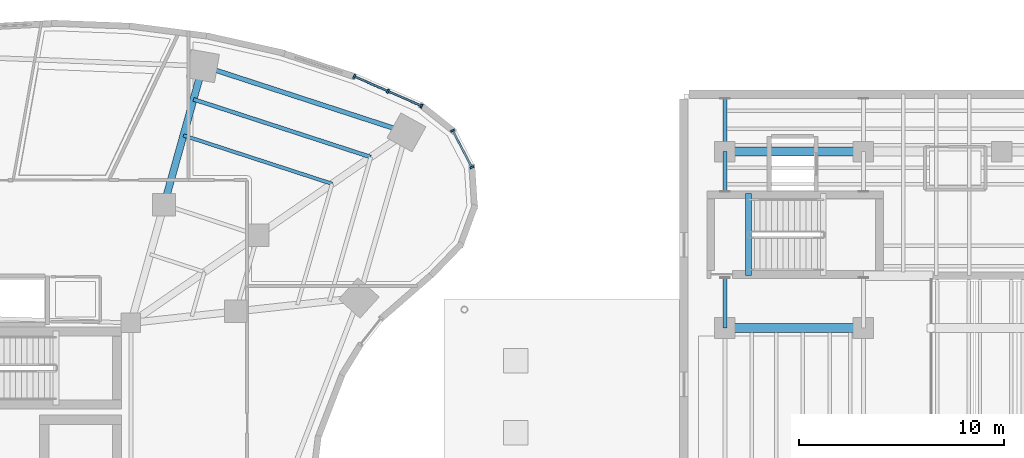
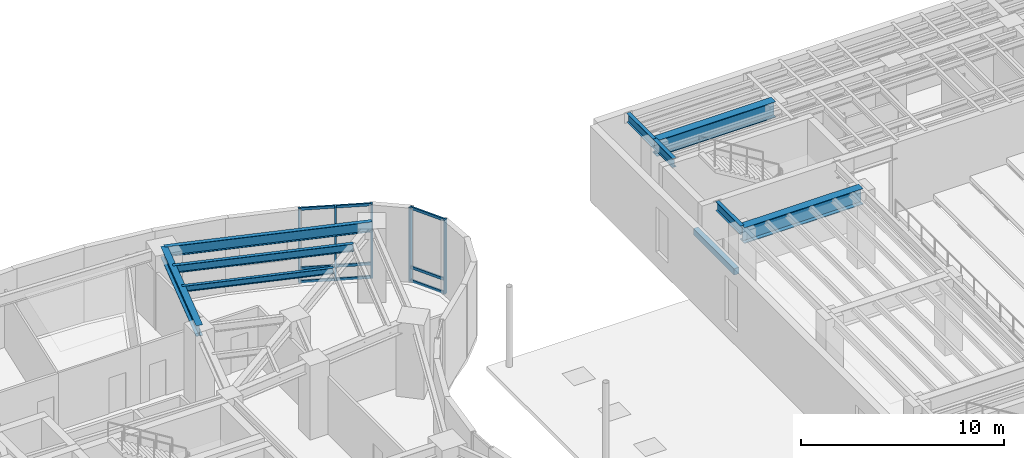
# One storey, part 9 of 24: 14 members, 10 beams, 2 elements without a shape of their own.
"""IFC4 building model written with IfcOpenShell, lengths in metres."""

from ifc_helpers import new_model, si_unit, direction, frame, origin, origin_2d, place, context, subcontext, project, spatial, rectangle, i_section, extrude, material, layer, layer_set, material_profile, profile_set, type_object, element, aggregate, save


model = new_model("IFC4")

# Units and contexts
model_context = context("Model", 3, precision=1e-05, world=origin(), true_north=direction((0.0, 1.0)))
body_context = subcontext(model_context, "Body", "Model", "MODEL_VIEW")
ifc_project = project(units=[si_unit("LENGTHUNIT", "METRE"), si_unit("AREAUNIT", "SQUARE_METRE"), si_unit("VOLUMEUNIT", "CUBIC_METRE"), si_unit("PLANEANGLEUNIT", "RADIAN"), si_unit("MASSUNIT", "GRAM", prefix="KILO")], contexts=[model_context])

# Site, building, storey
site_placement = place(None, origin())
site = spatial("IfcSite", under=ifc_project, at=site_placement, CompositionType="ELEMENT")
building_placement = place(site_placement, origin())
building = spatial("IfcBuilding", under=site, at=building_placement, Name="Korentha Bioscience Tower", CompositionType="ELEMENT")
storey_placement = place(building_placement, frame((0.0, 0.0, 10.199951171875)))
storey = spatial("IfcBuildingStorey", under=building, at=storey_placement, Name="L02", CompositionType="ELEMENT", Elevation=10.199951171875)

# Beam
ifc_material_1 = material(Name="Concrete C50", Category="concrete")
ifc_material_profile_1 = material_profile(ifc_material_1, rectangle(XDim=0.280029296875, YDim=0.3798828125, at=origin_2d()), Name="Concrete C50")
ifc_profile_set_1 = profile_set([ifc_material_profile_1], Name="Concrete C50 (ST-HB380)")
beam_type_1 = type_object("IfcBeamType", Name="Concrete Stair Header Beam RC 280x380", PredefinedType="BEAM", material=ifc_profile_set_1)
beam_1_placement = place(storey_placement, frame((67.64990234375, 38.14990234375, -0.18994140625), z_axis=(0.0, 1.0, 0.0), x_axis=(-1.0, 0.0, 0.0)))
element("IfcBeam", 1, at=beam_1_placement, inside=storey, type_object=beam_type_1, Name="L02 ST-T2 Concrete Stair Header Beam", PredefinedType="BEAM", context=body_context, shape_type="SweptSolid", body=[
    extrude(rectangle(XDim=0.280029296875, YDim=0.3798828125, at=origin_2d()), origin(), (0.0, 0.0, 1.0), 4.0),
])

# Curtain wall, members
ifc_material_2 = material(Name="Stone-Clad Aluminium Frame", Category="masonry")
ifc_layer = layer(ifc_material_2, 0.219970703125, Name="Stone-Clad Aluminium Frame")
ifc_layer_set = layer_set([ifc_layer], Name="Stone-Clad Aluminium Frame (CW-P1)")
curtain_wall_type = type_object("IfcCurtainWallType", Name="Podium Double-Height Stone-Mullion Curtain Wall CW-P1", PredefinedType="USERDEFINED", material=ifc_layer_set)
curtain_wall_1_placement = place(storey_placement, origin())
curtain_wall_1 = element("IfcCurtainWall", 2, at=curtain_wall_1_placement, inside=storey, type_object=curtain_wall_type, Name="L02 Curtain Wall 01", ObjectType="UNITISED", PredefinedType="USERDEFINED")
ifc_material_3 = material(Name="Anodised Aluminium 6063-T6", Category="aluminium")
ifc_material_profile_2 = material_profile(ifc_material_3, rectangle(XDim=0.090087890625, YDim=0.199951171875, at=origin_2d()), Name="Anodised Aluminium 6063-T6")
ifc_profile_set_2 = profile_set([ifc_material_profile_2], Name="Anodised Aluminium 6063-T6 (CW-MUL)")
member_type_1 = type_object("IfcMemberType", Name="Mullion RECT 90x200", PredefinedType="MULLION", material=ifc_profile_set_2)
member_1_placement = place(storey_placement, frame((51.71337890625, 46.420654296875, 0.0), z_axis=(0.0, 0.0, 1.0), x_axis=(-0.91593909057, 0.401317308828, 0.0)))
member_1 = element("IfcMember", 3, at=member_1_placement, type_object=member_type_1, Name="CW-L02-01 Mullion 1", PredefinedType="MULLION", context=body_context, shape_type="SweptSolid", body=[
    extrude(rectangle(XDim=0.090087890625, YDim=0.199951171875, at=origin_2d()), origin(), (0.0, 0.0, 1.0), 4.449951171875),
])
member_2_placement = place(storey_placement, frame((50.072998046875, 47.139404296875, 0.0), z_axis=(0.0, 0.0, 1.0), x_axis=(-0.91593909057, 0.401317308828, 0.0)))
member_2 = element("IfcMember", 4, at=member_2_placement, type_object=member_type_1, Name="CW-L02-01 Mullion 2", PredefinedType="MULLION", context=body_context, shape_type="SweptSolid", body=[
    extrude(rectangle(XDim=0.090087890625, YDim=0.199951171875, at=origin_2d()), origin(), (0.0, 0.0, 1.0), 4.449951171875),
])
member_3_placement = place(storey_placement, frame((48.43212890625, 47.8583984375, 0.0), z_axis=(0.0, 0.0, 1.0), x_axis=(-0.91593909057, 0.401317308828, 0.0)))
member_3 = element("IfcMember", 5, at=member_3_placement, type_object=member_type_1, Name="CW-L02-01 Mullion 3", PredefinedType="MULLION", context=body_context, shape_type="SweptSolid", body=[
    extrude(rectangle(XDim=0.090087890625, YDim=0.199951171875, at=origin_2d()), origin(), (0.0, 0.0, 1.0), 4.449951171875),
])

curtain_wall_2_placement = place(storey_placement, origin())
curtain_wall_2 = element("IfcCurtainWall", 6, at=curtain_wall_2_placement, inside=storey, type_object=curtain_wall_type, Name="L02 Curtain Wall 61", ObjectType="UNITISED", PredefinedType="USERDEFINED")
member_4_placement = place(storey_placement, frame((54.163330078125, 43.435302734375, 0.0), z_axis=(0.0, 0.0, 1.0), x_axis=(-0.463008597697, 0.886353788539, 0.0)))
member_4 = element("IfcMember", 7, at=member_4_placement, type_object=member_type_1, Name="CW-L02-61 Mullion 1", PredefinedType="MULLION", context=body_context, shape_type="SweptSolid", body=[
    extrude(rectangle(XDim=0.090087890625, YDim=0.199951171875, at=origin_2d()), origin(), (0.0, 0.0, 1.0), 4.449951171875),
])
member_5_placement = place(storey_placement, frame((53.22900390625, 45.2236328125, 0.0), z_axis=(0.0, 0.0, 1.0), x_axis=(-0.463008597697, 0.886353788539, 0.0)))
member_5 = element("IfcMember", 8, at=member_5_placement, type_object=member_type_1, Name="CW-L02-61 Mullion 2", PredefinedType="MULLION", context=body_context, shape_type="SweptSolid", body=[
    extrude(rectangle(XDim=0.090087890625, YDim=0.199951171875, at=origin_2d()), origin(), (0.0, 0.0, 1.0), 4.449951171875),
])

# Beams
ifc_material_4 = material(Name="Steel S355", Category="steel")
ifc_material_profile_3 = material_profile(ifc_material_4, i_section(OverallWidth=0.208984375, OverallDepth=0.532958984375, WebThickness=0.01025390625, FlangeThickness=0.015625, at=origin_2d()), Name="Steel S355")
ifc_profile_set_3 = profile_set([ifc_material_profile_3], Name="Steel S355 (SB-530)")
beam_type_2 = type_object("IfcBeamType", Name="Perimeter Ring Spandrel Girder W530x92", PredefinedType="SPANDREL", material=ifc_profile_set_3)
beam_2_placement = place(storey_placement, frame((66.5, 35.60009765625, 4.233642578125), z_axis=(0.0, 1.0, 0.0), x_axis=(-1.0, 0.0, 0.0)))
element("IfcBeam", 9, at=beam_2_placement, inside=storey, type_object=beam_type_2, Name="L02 Theatre Collector Girder 1-6", PredefinedType="SPANDREL", context=body_context, shape_type="SweptSolid", body=[
    extrude(i_section(OverallWidth=0.208984375, OverallDepth=0.532958984375, WebThickness=0.01025390625, FlangeThickness=0.015625, at=origin_2d()), origin(), (0.0, 0.0, 1.0), 2.449951171875),
])
beam_3_placement = place(storey_placement, frame((66.5, 42.25, 4.233642578125), z_axis=(0.0, 1.0, 0.0), x_axis=(-1.0, 0.0, 0.0)))
element("IfcBeam", 10, at=beam_3_placement, inside=storey, type_object=beam_type_2, Name="L02 Theatre Collector Girder 1-7", PredefinedType="SPANDREL", context=body_context, shape_type="SweptSolid", body=[
    extrude(i_section(OverallWidth=0.208984375, OverallDepth=0.532958984375, WebThickness=0.01025390625, FlangeThickness=0.015625, at=origin_2d()), origin(), (0.0, 0.0, 1.0), 1.949951171875),
])
beam_4_placement = place(storey_placement, frame((66.5, 44.199951171875, 4.233642578125), z_axis=(0.0, 1.0, 0.0), x_axis=(-1.0, 0.0, 0.0)))
element("IfcBeam", 11, at=beam_4_placement, inside=storey, type_object=beam_type_2, Name="L02 Theatre Collector Girder 1-8", PredefinedType="SPANDREL", context=body_context, shape_type="SweptSolid", body=[
    extrude(i_section(OverallWidth=0.208984375, OverallDepth=0.532958984375, WebThickness=0.01025390625, FlangeThickness=0.015625, at=origin_2d()), origin(), (0.0, 0.0, 1.0), 2.590087890625),
])
ifc_material_profile_4 = material_profile(ifc_material_4, i_section(OverallWidth=0.22802734375, OverallDepth=0.60791015625, WebThickness=0.01123046875, FlangeThickness=0.017333984375, at=origin_2d()), Name="Steel S355")
ifc_profile_set_4 = profile_set([ifc_material_profile_4], Name="Steel S355 (SB-610)")
beam_type_3 = type_object("IfcBeamType", Name="Perimeter Ring Spandrel Girder W610x113", PredefinedType="SPANDREL", material=ifc_profile_set_4)
beam_5_placement = place(storey_placement, frame((50.977294921875, 45.135498046875, 4.14599609375), z_axis=(-0.95087511444, 0.309574735305, 0.0), x_axis=(-0.309574735305, -0.95087511444, 0.0)))
element("IfcBeam", 12, at=beam_5_placement, inside=storey, type_object=beam_type_3, Name="L02 Perimeter Spandrel Girder 01", PredefinedType="SPANDREL", context=body_context, shape_type="SweptSolid", body=[
    extrude(i_section(OverallWidth=0.22802734375, OverallDepth=0.60791015625, WebThickness=0.01123046875, FlangeThickness=0.017333984375, at=origin_2d()), origin(), (0.0, 0.0, 1.0), 10.4375),
])
ifc_material_profile_5 = material_profile(ifc_material_4, i_section(OverallWidth=0.18994140625, OverallDepth=0.45703125, WebThickness=0.009033203125, FlangeThickness=0.014404296875, at=origin_2d()), Name="Steel S355")
ifc_profile_set_5 = profile_set([ifc_material_profile_5], Name="Steel S355 (RB-460)")
beam_type_4 = type_object("IfcBeamType", Name="Radial Laboratory Beam W460x74", PredefinedType="BEAM", material=ifc_profile_set_5)
beam_6_placement = place(storey_placement, frame((49.2373046875, 43.931884765625, 4.221435546875), z_axis=(-0.95087437499, 0.309577006554, 0.0), x_axis=(-0.309577006554, -0.95087437499, 0.0)))
element("IfcBeam", 13, at=beam_6_placement, inside=storey, type_object=beam_type_4, Name="L02 Secondary Floor Beam JSTO-01", PredefinedType="BEAM", context=body_context, shape_type="SweptSolid", body=[
    extrude(i_section(OverallWidth=0.18994140625, OverallDepth=0.45703125, WebThickness=0.009033203125, FlangeThickness=0.014404296875, at=origin_2d()), origin(), (0.0, 0.0, 1.0), 9.0849609375),
])
ifc_material_profile_6 = material_profile(ifc_material_4, i_section(OverallWidth=0.35009765625, OverallDepth=0.64990234375, WebThickness=0.01611328125, FlangeThickness=0.02490234375, at=origin_2d()), Name="Steel S355")
ifc_profile_set_6 = profile_set([ifc_material_profile_6], Name="Steel S355 (RB-650)")
beam_type_5 = type_object("IfcBeamType", Name="Radial Laboratory Girder CVS 650x208", PredefinedType="BEAM", material=ifc_profile_set_6)
beam_7_placement = place(storey_placement, frame((39.1611328125, 41.607666015625, 4.125), z_axis=(0.269475095129, 0.963007358801, 0.0), x_axis=(-0.963007358801, 0.269475095129, 0.0)))
element("IfcBeam", 14, at=beam_7_placement, inside=storey, type_object=beam_type_5, Name="L02 Outer Radial Girder 02", PredefinedType="BEAM", context=body_context, shape_type="SweptSolid", body=[
    extrude(i_section(OverallWidth=0.35009765625, OverallDepth=0.64990234375, WebThickness=0.01611328125, FlangeThickness=0.02490234375, at=origin_2d()), origin(), (0.0, 0.0, 1.0), 7.0185546875),
])
ifc_material_profile_7 = material_profile(ifc_material_4, i_section(OverallWidth=0.1708984375, OverallDepth=0.35498046875, WebThickness=0.007080078125, FlangeThickness=0.01171875, at=origin_2d()), Name="Steel S355")
ifc_profile_set_7 = profile_set([ifc_material_profile_7], Name="Steel S355 (JB-360)")
beam_type_6 = type_object("IfcBeamType", Name="Secondary Laboratory Joist W360x51", PredefinedType="JOIST", material=ifc_profile_set_7)
beam_8_placement = place(storey_placement, frame((47.35205078125, 42.62841796875, 4.2724609375), z_axis=(-0.950870992772, 0.309587394938, 0.0), x_axis=(-0.309587394938, -0.950870992772, 0.0)))
element("IfcBeam", 15, at=beam_8_placement, inside=storey, type_object=beam_type_6, Name="L02 Secondary Floor Beam JST-01", PredefinedType="JOIST", context=body_context, shape_type="SweptSolid", body=[
    extrude(i_section(OverallWidth=0.1708984375, OverallDepth=0.35498046875, WebThickness=0.007080078125, FlangeThickness=0.01171875, at=origin_2d()), origin(), (0.0, 0.0, 1.0), 7.619384765625),
])
ifc_material_profile_8 = material_profile(ifc_material_4, i_section(OverallWidth=0.449951171875, OverallDepth=0.949951171875, WebThickness=0.02001953125, FlangeThickness=0.034912109375, at=origin_2d()), Name="Steel S355")
ifc_profile_set_8 = profile_set([ifc_material_profile_8], Name="Steel S355 (TB-950)")
beam_type_7 = type_object("IfcBeamType", Name="Theatre Primary Girder CVS 950x374", PredefinedType="BEAM", material=ifc_profile_set_8)
for number, where, z_axis, x_axis, name in (
    (16, (66.5, 35.60009765625, 4.025146484375), (1.0, 0.0, 0.0), (0.0, 1.0, 0.0), "L02 Theatre Foyer Girder 4"),
    (17, (66.5, 44.199951171875, 4.025146484375), (1.0, 0.0, 0.0), (0.0, 1.0, 0.0), "L02 Theatre Foyer Girder 5"),
):
    element("IfcBeam", number, at=place(storey_placement, frame(where, z_axis=z_axis, x_axis=x_axis)), inside=storey, type_object=beam_type_7, Name=name, PredefinedType="BEAM", context=body_context, shape_type="SweptSolid", body=[
        extrude(i_section(OverallWidth=0.449951171875, OverallDepth=0.949951171875, WebThickness=0.02001953125, FlangeThickness=0.034912109375, at=origin_2d()), origin(), (0.0, 0.0, 1.0), 6.75),
    ])

# Member
ifc_material_profile_9 = material_profile(ifc_material_3, rectangle(XDim=0.090087890625, YDim=0.159912109375, at=origin_2d()), Name="Anodised Aluminium 6063-T6")
ifc_profile_set_9 = profile_set([ifc_material_profile_9], Name="Anodised Aluminium 6063-T6 (CW-TRN)")
member_type_2 = type_object("IfcMemberType", Name="Transom RECT 90x160", PredefinedType="USERDEFINED", material=ifc_profile_set_9)
member_6_placement = place(storey_placement, frame((51.67236328125, 46.438720703125, 0.045166015625), z_axis=(-0.915976098914, 0.401232832926, 0.0), x_axis=(-0.401232832926, -0.915976098914, 0.0)))
member_6 = element("IfcMember", 18, at=member_6_placement, type_object=member_type_2, Name="CW-L02-01 Bay 1 Transom 1", ObjectType="TRANSOM", PredefinedType="USERDEFINED", context=body_context, shape_type="SweptSolid", body=[
    extrude(rectangle(XDim=0.090087890625, YDim=0.159912109375, at=origin_2d()), origin(), (0.0, 0.0, 1.0), 1.701416015625),
])

member_7_placement = place(storey_placement, frame((51.67236328125, 46.438720703125, 0.85009765625), z_axis=(-0.915976098914, 0.401232832926, 0.0), x_axis=(-0.401232832926, -0.915976098914, 0.0)))
member_7 = element("IfcMember", 19, at=member_7_placement, type_object=member_type_2, Name="CW-L02-01 Bay 1 Transom 2", ObjectType="TRANSOM", PredefinedType="USERDEFINED", context=body_context, shape_type="SweptSolid", body=[
    extrude(rectangle(XDim=0.090087890625, YDim=0.159912109375, at=origin_2d()), origin(), (0.0, 0.0, 1.0), 1.701416015625),
])

member_8_placement = place(storey_placement, frame((51.67236328125, 46.438720703125, 4.405029296875), z_axis=(-0.915976098914, 0.401232832926, 0.0), x_axis=(-0.401232832926, -0.915976098914, 0.0)))
member_8 = element("IfcMember", 20, at=member_8_placement, type_object=member_type_2, Name="CW-L02-01 Bay 1 Transom 3", ObjectType="TRANSOM", PredefinedType="USERDEFINED", context=body_context, shape_type="SweptSolid", body=[
    extrude(rectangle(XDim=0.090087890625, YDim=0.159912109375, at=origin_2d()), origin(), (0.0, 0.0, 1.0), 1.701416015625),
])

member_9_placement = place(storey_placement, frame((50.031494140625, 47.15771484375, 0.045166015625), z_axis=(-0.915952992218, 0.401285579167, 0.0), x_axis=(-0.401285579167, -0.915952992218, 0.0)))
member_9 = element("IfcMember", 21, at=member_9_placement, type_object=member_type_2, Name="CW-L02-01 Bay 2 Transom 1", ObjectType="TRANSOM", PredefinedType="USERDEFINED", context=body_context, shape_type="SweptSolid", body=[
    extrude(rectangle(XDim=0.090087890625, YDim=0.159912109375, at=origin_2d()), origin(), (0.0, 0.0, 1.0), 1.701171875),
])

member_10_placement = place(storey_placement, frame((50.031494140625, 47.15771484375, 0.85009765625), z_axis=(-0.915952992218, 0.401285579167, 0.0), x_axis=(-0.401285579167, -0.915952992218, 0.0)))
member_10 = element("IfcMember", 22, at=member_10_placement, type_object=member_type_2, Name="CW-L02-01 Bay 2 Transom 2", ObjectType="TRANSOM", PredefinedType="USERDEFINED", context=body_context, shape_type="SweptSolid", body=[
    extrude(rectangle(XDim=0.090087890625, YDim=0.159912109375, at=origin_2d()), origin(), (0.0, 0.0, 1.0), 1.701171875),
])

member_11_placement = place(storey_placement, frame((50.031494140625, 47.15771484375, 4.405029296875), z_axis=(-0.915952992218, 0.401285579167, 0.0), x_axis=(-0.401285579167, -0.915952992218, 0.0)))
member_11 = element("IfcMember", 23, at=member_11_placement, type_object=member_type_2, Name="CW-L02-01 Bay 2 Transom 3", ObjectType="TRANSOM", PredefinedType="USERDEFINED", context=body_context, shape_type="SweptSolid", body=[
    extrude(rectangle(XDim=0.090087890625, YDim=0.159912109375, at=origin_2d()), origin(), (0.0, 0.0, 1.0), 1.701171875),
])

aggregate(curtain_wall_1, [member_1, member_2, member_3, member_6, member_7, member_8, member_9, member_10, member_11])

member_12_placement = place(storey_placement, frame((54.142333984375, 43.47509765625, 0.045166015625), z_axis=(-0.462899248902, 0.886410900974, 0.0), x_axis=(-0.886410900974, -0.462899248902, 0.0)))
member_12 = element("IfcMember", 24, at=member_12_placement, type_object=member_type_2, Name="CW-L02-61 Bay 1 Transom 1", ObjectType="TRANSOM", PredefinedType="USERDEFINED", context=body_context, shape_type="SweptSolid", body=[
    extrude(rectangle(XDim=0.090087890625, YDim=0.159912109375, at=origin_2d()), origin(), (0.0, 0.0, 1.0), 1.927734375),
])

member_13_placement = place(storey_placement, frame((54.142333984375, 43.47509765625, 0.85009765625), z_axis=(-0.462899248902, 0.886410900974, 0.0), x_axis=(-0.886410900974, -0.462899248902, 0.0)))
member_13 = element("IfcMember", 25, at=member_13_placement, type_object=member_type_2, Name="CW-L02-61 Bay 1 Transom 2", ObjectType="TRANSOM", PredefinedType="USERDEFINED", context=body_context, shape_type="SweptSolid", body=[
    extrude(rectangle(XDim=0.090087890625, YDim=0.159912109375, at=origin_2d()), origin(), (0.0, 0.0, 1.0), 1.927734375),
])

member_14_placement = place(storey_placement, frame((54.142333984375, 43.47509765625, 4.405029296875), z_axis=(-0.462899248902, 0.886410900974, 0.0), x_axis=(-0.886410900974, -0.462899248902, 0.0)))
member_14 = element("IfcMember", 26, at=member_14_placement, type_object=member_type_2, Name="CW-L02-61 Bay 1 Transom 3", ObjectType="TRANSOM", PredefinedType="USERDEFINED", context=body_context, shape_type="SweptSolid", body=[
    extrude(rectangle(XDim=0.090087890625, YDim=0.159912109375, at=origin_2d()), origin(), (0.0, 0.0, 1.0), 1.927734375),
])

aggregate(curtain_wall_2, [member_4, member_5, member_12, member_13, member_14])

save(model, "model.ifc")
